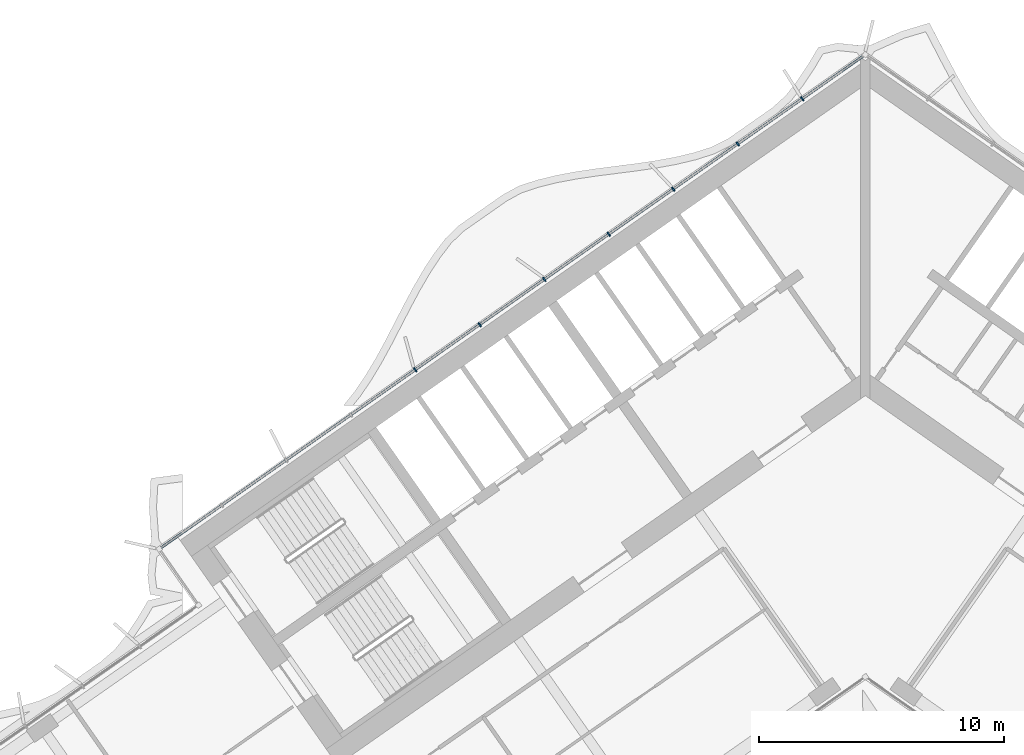
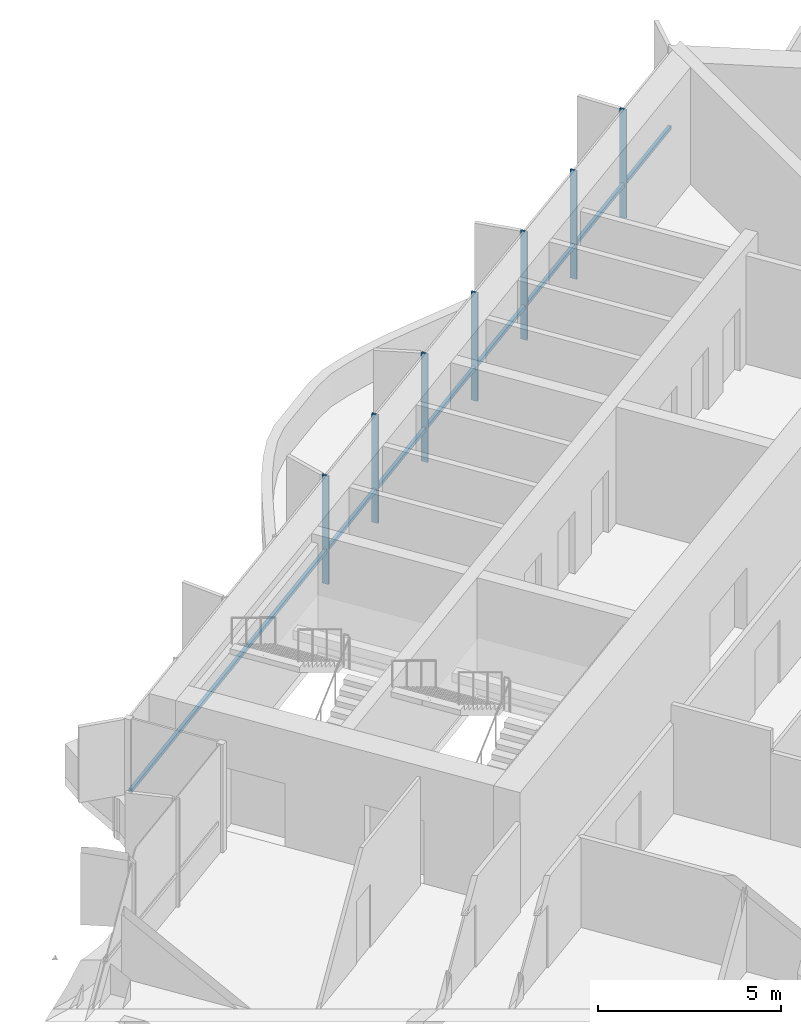
# One storey, part 7 of 21: 8 members, 1 element without a shape of its own.
"""IFC4 building model written with IfcOpenShell, lengths in metres."""

from ifc_helpers import new_model, si_unit, direction, frame, origin, origin_2d, place, context, subcontext, project, spatial, rectangle, extrude, material, material_profile, profile_set, type_object, element, aggregate, save


model = new_model("IFC4")

# Units and contexts
model_context = context("Model", 3, precision=1e-05, world=origin(), true_north=direction((0.0, 1.0)))
body_context = subcontext(model_context, "Body", "Model", "MODEL_VIEW")
ifc_project = project(units=[si_unit("LENGTHUNIT", "METRE"), si_unit("AREAUNIT", "SQUARE_METRE"), si_unit("VOLUMEUNIT", "CUBIC_METRE"), si_unit("PLANEANGLEUNIT", "RADIAN"), si_unit("MASSUNIT", "GRAM", prefix="KILO")], contexts=[model_context])

# Site, building, storey
site_placement = place(None, origin())
site = spatial("IfcSite", under=ifc_project, at=site_placement, CompositionType="ELEMENT")
building_placement = place(site_placement, origin())
building = spatial("IfcBuilding", under=site, at=building_placement, Name="Tel Ilan Convention Tower", CompositionType="ELEMENT")
storey_placement = place(building_placement, frame((0.0, 0.0, 163.199951171875)))
storey = spatial("IfcBuildingStorey", under=building, at=storey_placement, Name="L37", CompositionType="ELEMENT", Elevation=163.199951171875)

# Curtain wall, members
ifc_material_1 = material(Name="Aluminium, bronze anodised", Category="aluminium")
curtain_wall_type = type_object("IfcCurtainWallType", Name="CW2 STICK CURTAIN WALL, SPANDREL PANELS", PredefinedType="NOTDEFINED", material=ifc_material_1)
curtain_wall_placement = place(storey_placement, origin())
curtain_wall = element("IfcCurtainWall", 1, at=curtain_wall_placement, inside=storey, type_object=curtain_wall_type, Name="Curtain wall CW2-29.01", PredefinedType="NOTDEFINED")
ifc_material_2 = material(Name="Aluminium, bronze anodised", Category="aluminium")
ifc_material_profile_1 = material_profile(ifc_material_2, rectangle(XDim=0.06005859375, YDim=0.199951171875, at=origin_2d()), Name="CW MULLION 60x200")
ifc_profile_set_1 = profile_set([ifc_material_profile_1], Name="Aluminium, bronze anodised")
member_type_1 = type_object("IfcMemberType", Name="CW MULLION 60x200", PredefinedType="MULLION", material=ifc_profile_set_1)
member_1_placement = place(storey_placement, frame((-2.5751953125, 10.892822265625, 0.0), z_axis=(0.0, 0.0, 1.0), x_axis=(-0.819152044289, -0.573576436351, 0.0)))
member_1 = element("IfcMember", 2, at=member_1_placement, type_object=member_type_1, Name="Mullion", PredefinedType="MULLION", context=body_context, shape_type="SweptSolid", body=[
    extrude(rectangle(XDim=0.06005859375, YDim=0.199951171875, at=origin_2d()), origin(), (0.0, 0.0, 1.0), 3.6201171875),
])
member_2_placement = place(storey_placement, frame((-5.207763671875, 9.049560546875, 0.0), z_axis=(0.0, 0.0, 1.0), x_axis=(-0.819152044289, -0.573576436351, 0.0)))
member_2 = element("IfcMember", 3, at=member_2_placement, type_object=member_type_1, Name="Mullion", PredefinedType="MULLION", context=body_context, shape_type="SweptSolid", body=[
    extrude(rectangle(XDim=0.06005859375, YDim=0.199951171875, at=origin_2d()), origin(), (0.0, 0.0, 1.0), 3.6201171875),
])
member_3_placement = place(storey_placement, frame((-7.840576171875, 7.2060546875, 0.0), z_axis=(0.0, 0.0, 1.0), x_axis=(-0.819152044289, -0.573576436351, 0.0)))
member_3 = element("IfcMember", 4, at=member_3_placement, type_object=member_type_1, Name="Mullion", PredefinedType="MULLION", context=body_context, shape_type="SweptSolid", body=[
    extrude(rectangle(XDim=0.06005859375, YDim=0.199951171875, at=origin_2d()), origin(), (0.0, 0.0, 1.0), 3.6201171875),
])
member_4_placement = place(storey_placement, frame((-10.47314453125, 5.36279296875, 0.0), z_axis=(0.0, 0.0, 1.0), x_axis=(-0.819152044289, -0.573576436351, 0.0)))
member_4 = element("IfcMember", 5, at=member_4_placement, type_object=member_type_1, Name="Mullion", PredefinedType="MULLION", context=body_context, shape_type="SweptSolid", body=[
    extrude(rectangle(XDim=0.06005859375, YDim=0.199951171875, at=origin_2d()), origin(), (0.0, 0.0, 1.0), 3.6201171875),
])
member_5_placement = place(storey_placement, frame((-13.105712890625, 3.519287109375, 0.0), z_axis=(0.0, 0.0, 1.0), x_axis=(-0.819152044289, -0.573576436351, 0.0)))
member_5 = element("IfcMember", 6, at=member_5_placement, type_object=member_type_1, Name="Mullion", PredefinedType="MULLION", context=body_context, shape_type="SweptSolid", body=[
    extrude(rectangle(XDim=0.06005859375, YDim=0.199951171875, at=origin_2d()), origin(), (0.0, 0.0, 1.0), 3.6201171875),
])
member_6_placement = place(storey_placement, frame((-15.73828125, 1.676025390625, 0.0), z_axis=(0.0, 0.0, 1.0), x_axis=(-0.819152044289, -0.573576436351, 0.0)))
member_6 = element("IfcMember", 7, at=member_6_placement, type_object=member_type_1, Name="Mullion", PredefinedType="MULLION", context=body_context, shape_type="SweptSolid", body=[
    extrude(rectangle(XDim=0.06005859375, YDim=0.199951171875, at=origin_2d()), origin(), (0.0, 0.0, 1.0), 3.6201171875),
])
member_7_placement = place(storey_placement, frame((-18.37109375, -0.16748046875, 0.0), z_axis=(0.0, 0.0, 1.0), x_axis=(-0.819152044289, -0.573576436351, 0.0)))
member_7 = element("IfcMember", 8, at=member_7_placement, type_object=member_type_1, Name="Mullion", PredefinedType="MULLION", context=body_context, shape_type="SweptSolid", body=[
    extrude(rectangle(XDim=0.06005859375, YDim=0.199951171875, at=origin_2d()), origin(), (0.0, 0.0, 1.0), 3.6201171875),
])
ifc_material_3 = material(Name="Aluminium, bronze anodised", Category="aluminium")
ifc_material_profile_2 = material_profile(ifc_material_3, rectangle(XDim=0.10009765625, YDim=0.1201171875, at=origin_2d()), Name="CW TRANSOM 100x120")
ifc_profile_set_2 = profile_set([ifc_material_profile_2], Name="Aluminium, bronze anodised")
member_type_2 = type_object("IfcMemberType", Name="CW TRANSOM 100x120", PredefinedType="USERDEFINED", material=ifc_profile_set_2)
member_8_placement = place(storey_placement, frame((-0.1064453125, 12.62158203125, 1.10009765625), z_axis=(-0.819150201937, -0.573579067494, 0.0), x_axis=(0.573579067494, -0.819150201937, 0.0)))
member_8 = element("IfcMember", 9, at=member_8_placement, type_object=member_type_2, Name="Transom", ObjectType="TRANSOM", PredefinedType="USERDEFINED", context=body_context, shape_type="SweptSolid", body=[
    extrude(rectangle(XDim=0.10009765625, YDim=0.1201171875, at=origin_2d()), origin(), (0.0, 0.0, 1.0), 34.9521484375),
])
aggregate(curtain_wall, [member_1, member_2, member_3, member_4, member_5, member_6, member_7, member_8])

save(model, "model.ifc")
